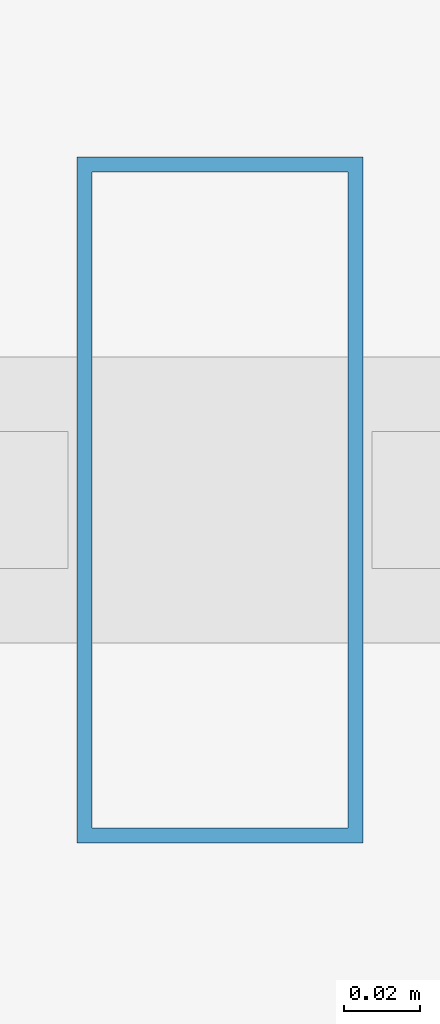
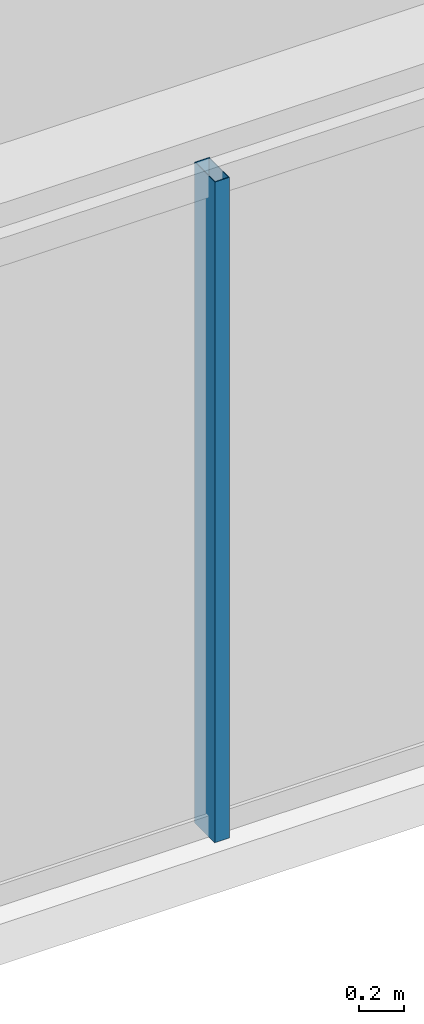
# One storey, part 7 of 32: 1 member, 1 element without a shape of its own.
"""IFC4 building model written with IfcOpenShell, lengths in metres."""

from ifc_helpers import new_model, si_unit, direction, frame, origin, origin_2d, place, context, subcontext, project, spatial, hollow_rectangle, extrude, material, layer, layer_set, material_profile, profile_set, type_object, element, aggregate, save


model = new_model("IFC4")

# Units and contexts
model_context = context("Model", 3, precision=1e-05, world=origin(), true_north=direction((0.0, 1.0)))
body_context = subcontext(model_context, "Body", "Model", "MODEL_VIEW")
ifc_project = project(units=[si_unit("LENGTHUNIT", "METRE"), si_unit("AREAUNIT", "SQUARE_METRE"), si_unit("VOLUMEUNIT", "CUBIC_METRE"), si_unit("PLANEANGLEUNIT", "RADIAN"), si_unit("MASSUNIT", "GRAM", prefix="KILO")], contexts=[model_context])

# Site, building, storey
site_placement = place(None, origin())
site = spatial("IfcSite", under=ifc_project, at=site_placement, CompositionType="ELEMENT")
building_placement = place(site_placement, origin())
building = spatial("IfcBuilding", under=site, at=building_placement, Name="Ndaravel Arena Tower", CompositionType="ELEMENT")
storey_placement = place(building_placement, frame((0.0, 0.0, 290.89990234375)))
storey = spatial("IfcBuildingStorey", under=building, at=storey_placement, Name="L71", CompositionType="ELEMENT", Elevation=290.89990234375)

# Curtain wall, member
ifc_material_1 = material(Name="Aluminium", Category="aluminium")
ifc_layer = layer(ifc_material_1, 0.179931640625)
ifc_layer_set = layer_set([ifc_layer], Name="Aluminium")
curtain_wall_type = type_object("IfcCurtainWallType", Name="CW-SYS-03", PredefinedType="NOTDEFINED", material=ifc_layer_set)
curtain_wall_placement = place(storey_placement, origin())
curtain_wall = element("IfcCurtainWall", 1, at=curtain_wall_placement, inside=storey, type_object=curtain_wall_type, Name="L71 Faceted Crystal Curtain Wall CW-L71-E01", PredefinedType="NOTDEFINED")
ifc_material_2 = material(Name="Aluminium", Category="aluminium")
ifc_material_profile = material_profile(ifc_material_2, hollow_rectangle(XDim=0.074951171875, YDim=0.179931640625, WallThickness=0.00390625, at=origin_2d()), Name="CW MULLION 75x180x4")
ifc_profile_set = profile_set([ifc_material_profile], Name="Aluminium")
member_type = type_object("IfcMemberType", Name="MEM-CW-MUL180", PredefinedType="MULLION", material=ifc_profile_set)
member_placement = place(storey_placement, frame((39.77392578125, 5.159912109375, 0.0), z_axis=(0.0, 0.0, 1.0), x_axis=(1.0, 0.0, 0.0)))
member = element("IfcMember", 2, at=member_placement, type_object=member_type, Name="CW-L71-E01 Mullion 04", PredefinedType="MULLION", context=body_context, shape_type="SweptSolid", body=[
    extrude(hollow_rectangle(XDim=0.074951171875, YDim=0.179931640625, WallThickness=0.00390625, at=origin_2d()), origin(), (0.0, 0.0, 1.0), 3.580078125),
])
aggregate(curtain_wall, [member])

save(model, "model.ifc")
